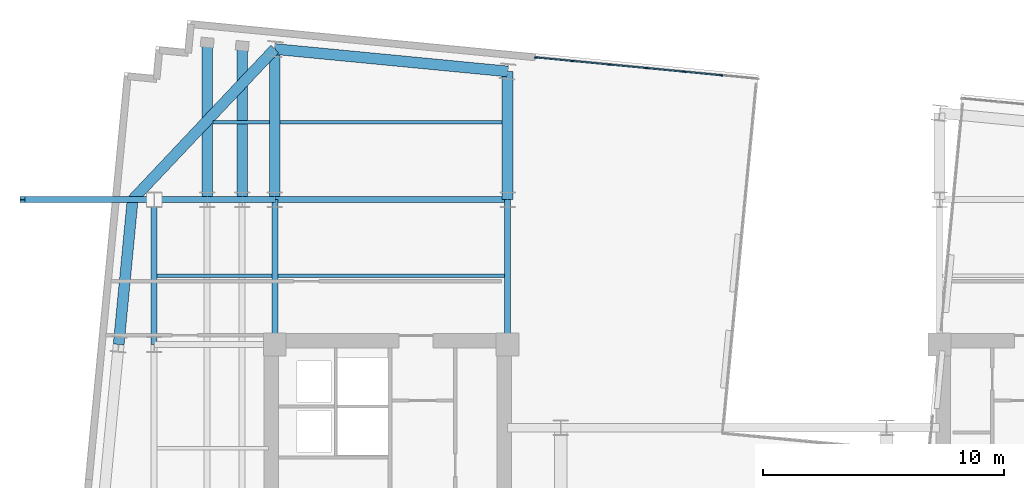
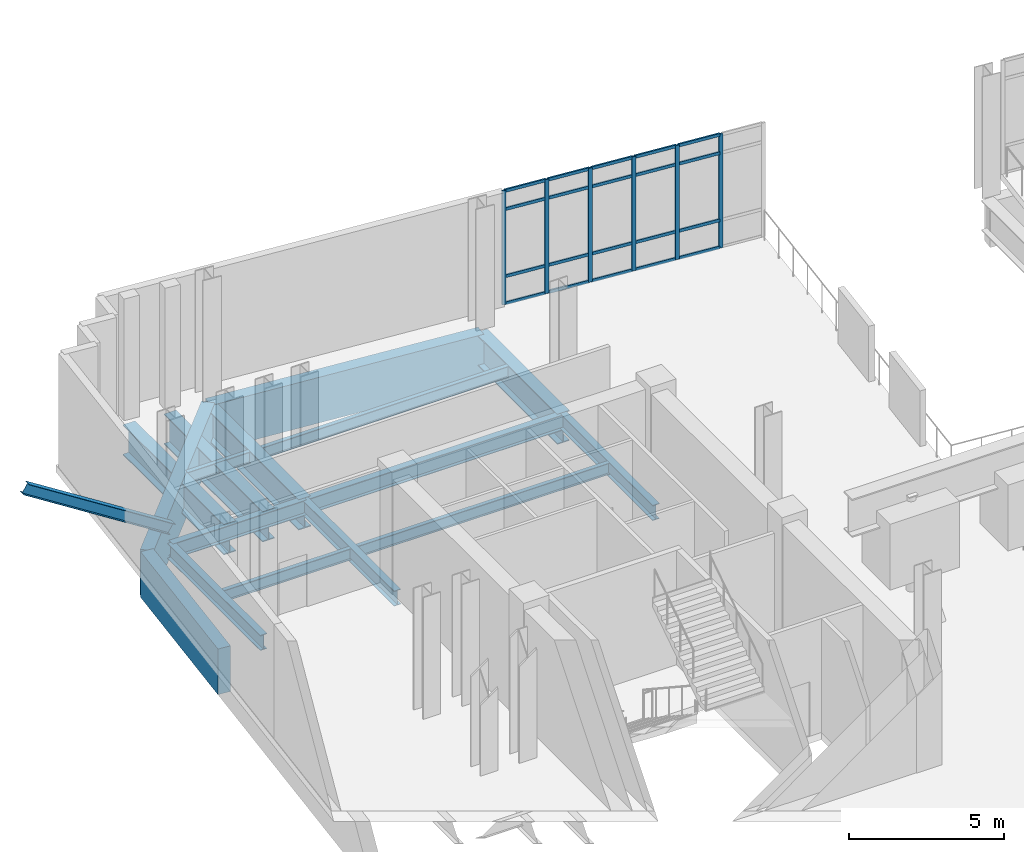
# One storey, part 8 of 16: 27 members, 16 beams, 1 element without a shape of its own.
"""IFC4 building model written with IfcOpenShell, lengths in metres."""

from ifc_helpers import new_model, si_unit, direction, frame, origin, origin_2d, place, context, subcontext, project, spatial, rectangle, i_section, extrude, material, layer, layer_set, material_profile, profile_set, type_object, element, aggregate, save


model = new_model("IFC4")

# Units and contexts
model_context = context("Model", 3, precision=1e-05, world=origin(), true_north=direction((0.0, 1.0)))
body_context = subcontext(model_context, "Body", "Model", "MODEL_VIEW")
ifc_project = project(units=[si_unit("LENGTHUNIT", "METRE"), si_unit("AREAUNIT", "SQUARE_METRE"), si_unit("VOLUMEUNIT", "CUBIC_METRE"), si_unit("PLANEANGLEUNIT", "RADIAN"), si_unit("MASSUNIT", "GRAM", prefix="KILO")], contexts=[model_context])

# Site, building, storey
site_placement = place(None, origin())
site = spatial("IfcSite", under=ifc_project, at=site_placement, CompositionType="ELEMENT")
building_placement = place(site_placement, origin())
building = spatial("IfcBuilding", under=site, at=building_placement, Name="Velakula Bourse", CompositionType="ELEMENT")
storey_placement = place(building_placement, frame((0.0, 0.0, 199.5)))
storey = spatial("IfcBuildingStorey", under=building, at=storey_placement, Name="L54", CompositionType="ELEMENT", Elevation=199.5)

# Beams
ifc_material_1 = material(Name="Steel IS 2062 Grade 350 (E350)", Category="steel")
ifc_material_profile_1 = material_profile(ifc_material_1, i_section(OverallWidth=0.25, OverallDepth=0.60009765625, WebThickness=0.01123046875, FlangeThickness=0.021240234375, at=origin_2d()), Name="Steel IS 2062 Grade 350 (E350)")
ifc_profile_set_1 = profile_set([ifc_material_profile_1], Name="Steel IS 2062 Grade 350 (E350)")
beam_type_1 = type_object("IfcBeamType", Name="BM-GRD-600M", PredefinedType="BEAM", material=ifc_profile_set_1)
for number, where, z_axis, x_axis, name in (
    (1, (-18.60009765625, 8.60009765625, -0.580078125), (0.0, 1.0, 0.0), (-1.0, 0.0, 0.0), "L54 Fulcrum Grid Girder FLC-WN"),
    (2, (-8.949951171875, 8.60009765625, -0.580078125), (0.0, 1.0, 0.0), (-1.0, 0.0, 0.0), "L54 Fulcrum Grid Girder FLC-WCN"),
):
    element("IfcBeam", number, at=place(storey_placement, frame(where, z_axis=z_axis, x_axis=x_axis)), inside=storey, type_object=beam_type_1, Name=name, PredefinedType="BEAM", context=body_context, shape_type="SweptSolid", body=[
        extrude(i_section(OverallWidth=0.25, OverallDepth=0.60009765625, WebThickness=0.01123046875, FlangeThickness=0.021240234375, at=origin_2d()), origin(), (0.0, 0.0, 1.0), 6.0),
    ])
beam_1_placement = place(storey_placement, frame((-18.60009765625, 14.60009765625, -0.580078125), z_axis=(1.0, 0.0, 0.0), x_axis=(0.0, 1.0, 0.0)))
element("IfcBeam", 3, at=beam_1_placement, inside=storey, type_object=beam_type_1, Name="L54 Fulcrum Grid Girder FLC-N1", PredefinedType="BEAM", context=body_context, shape_type="SweptSolid", body=[
    extrude(i_section(OverallWidth=0.25, OverallDepth=0.60009765625, WebThickness=0.01123046875, FlangeThickness=0.021240234375, at=origin_2d()), origin(), (0.0, 0.0, 1.0), 9.650146484375),
])
beam_2_placement = place(storey_placement, frame((-23.60009765625, 14.60009765625, -0.580078125), z_axis=(1.0, 0.0, 0.0), x_axis=(0.0, 1.0, 0.0)))
element("IfcBeam", 4, at=beam_2_placement, inside=storey, type_object=beam_type_1, Name="L54 Fulcrum Grid Girder MWG-WN2", PredefinedType="BEAM", context=body_context, shape_type="SweptSolid", body=[
    extrude(i_section(OverallWidth=0.25, OverallDepth=0.60009765625, WebThickness=0.01123046875, FlangeThickness=0.021240234375, at=origin_2d()), origin(), (0.0, 0.0, 1.0), 5.0),
])
beam_3_placement = place(storey_placement, frame((-23.60009765625, 8.60009765625, -0.580078125), z_axis=(0.0, 1.0, 0.0), x_axis=(-1.0, 0.0, 0.0)))
element("IfcBeam", 5, at=beam_3_placement, inside=storey, type_object=beam_type_1, Name="L54 Fulcrum Grid Girder MWG-WNS3", PredefinedType="BEAM", context=body_context, shape_type="SweptSolid", body=[
    extrude(i_section(OverallWidth=0.25, OverallDepth=0.60009765625, WebThickness=0.01123046875, FlangeThickness=0.021240234375, at=origin_2d()), origin(), (0.0, 0.0, 1.0), 6.0),
])

# Member
ifc_material_profile_2 = material_profile(ifc_material_1, i_section(OverallWidth=0.25, OverallDepth=0.39990234375, WebThickness=0.010498046875, FlangeThickness=0.0126953125, at=origin_2d()), Name="Steel IS 2062 Grade 350 (E350)")
ifc_profile_set_2 = profile_set([ifc_material_profile_2], Name="Steel IS 2062 Grade 350 (E350)")
member_type_1 = type_object("IfcMemberType", Name="BR-TRF-400", PredefinedType="BRACE", material=ifc_profile_set_2)
member_1_placement = place(storey_placement, frame((-23.60009765625, 14.60009765625, 0.300048828125), z_axis=(-0.843533874994, 0.0, 0.537075973897), x_axis=(0.0, -1.0, 0.0)))
element("IfcMember", 6, at=member_1_placement, inside=storey, type_object=member_type_1, Name="L54 Inclined Cantilever Transfer Raking Strut W4", PredefinedType="BRACE", context=body_context, shape_type="SweptSolid", body=[
    extrude(i_section(OverallWidth=0.25, OverallDepth=0.39990234375, WebThickness=0.010498046875, FlangeThickness=0.0126953125, at=origin_2d()), origin(), (0.0, 0.0, 1.0), 6.4609375),
])

# Beams
ifc_material_profile_3 = material_profile(ifc_material_1, i_section(OverallWidth=0.14990234375, OverallDepth=0.449951171875, WebThickness=0.009521484375, FlangeThickness=0.017333984375, at=origin_2d()), Name="Steel IS 2062 Grade 350 (E350)")
ifc_profile_set_3 = profile_set([ifc_material_profile_3], Name="Steel IS 2062 Grade 350 (E350)")
beam_type_2 = type_object("IfcBeamType", Name="JST-TWR-450", PredefinedType="JOIST", material=ifc_profile_set_3)
beam_4_placement = place(storey_placement, frame((-23.47509765625, 11.449951171875, -0.5048828125), z_axis=(1.0, 0.0, 0.0), x_axis=(0.0, 1.0, 0.0)))
element("IfcBeam", 7, at=beam_4_placement, inside=storey, type_object=beam_type_2, Name="L54 Trading Floor Composite Joist 09", PredefinedType="JOIST", context=body_context, shape_type="SweptSolid", body=[
    extrude(i_section(OverallWidth=0.14990234375, OverallDepth=0.449951171875, WebThickness=0.009521484375, FlangeThickness=0.017333984375, at=origin_2d()), origin(), (0.0, 0.0, 1.0), 4.75),
])
beam_5_placement = place(storey_placement, frame((-18.47509765625, 11.449951171875, -0.5048828125), z_axis=(1.0, 0.0, 0.0), x_axis=(0.0, 1.0, 0.0)))
element("IfcBeam", 8, at=beam_5_placement, inside=storey, type_object=beam_type_2, Name="L54 Trading Floor Composite Joist 10", PredefinedType="JOIST", context=body_context, shape_type="SweptSolid", body=[
    extrude(i_section(OverallWidth=0.14990234375, OverallDepth=0.449951171875, WebThickness=0.009521484375, FlangeThickness=0.017333984375, at=origin_2d()), origin(), (0.0, 0.0, 1.0), 9.400146484375),
])
beam_6_placement = place(storey_placement, frame((-21.16162109375, 17.800048828125, -0.5048828125), z_axis=(1.0, 0.0, 0.0), x_axis=(0.0, 1.0, 0.0)))
element("IfcBeam", 9, at=beam_6_placement, inside=storey, type_object=beam_type_2, Name="L54 Trading Floor Composite Joist 14", PredefinedType="JOIST", context=body_context, shape_type="SweptSolid", body=[
    extrude(i_section(OverallWidth=0.14990234375, OverallDepth=0.449951171875, WebThickness=0.009521484375, FlangeThickness=0.017333984375, at=origin_2d()), origin(), (0.0, 0.0, 1.0), 2.336669921875),
])
beam_7_placement = place(storey_placement, frame((-18.375, 17.800048828125, -0.5048828125), z_axis=(1.0, 0.0, 0.0), x_axis=(0.0, 1.0, 0.0)))
element("IfcBeam", 10, at=beam_7_placement, inside=storey, type_object=beam_type_2, Name="L54 Trading Floor Composite Joist 15", PredefinedType="JOIST", context=body_context, shape_type="SweptSolid", body=[
    extrude(i_section(OverallWidth=0.14990234375, OverallDepth=0.449951171875, WebThickness=0.009521484375, FlangeThickness=0.017333984375, at=origin_2d()), origin(), (0.0, 0.0, 1.0), 9.199951171875),
])

# Curtain wall, members
ifc_material_2 = material(Name="Anodised bronze architectural aluminium", Category="aluminium")
ifc_layer = layer(ifc_material_2, 0.139892578125, Name="Anodised bronze architectural aluminium", Category="aluminium")
ifc_layer_set = layer_set([ifc_layer], Name="Anodised bronze architectural aluminium")
curtain_wall_type = type_object("IfcCurtainWallType", Name="CW-TS1", PredefinedType="NOTDEFINED", material=ifc_layer_set)
curtain_wall_placement = place(storey_placement, origin())
curtain_wall = element("IfcCurtainWall", 11, at=curtain_wall_placement, inside=storey, type_object=curtain_wall_type, Name="L54 Venturi Observation Curtain Wall N-B2", PredefinedType="NOTDEFINED")
ifc_material_profile_4 = material_profile(ifc_material_2, rectangle(XDim=0.06005859375, YDim=0.139892578125, at=origin_2d()), Name="Anodised bronze architectural aluminium")
ifc_profile_set_4 = profile_set([ifc_material_profile_4], Name="Anodised bronze architectural aluminium")
member_type_2 = type_object("IfcMemberType", Name="MUL-CW-TS1", PredefinedType="MULLION", material=ifc_profile_set_4)
member_2_placement = place(storey_placement, frame((-7.768798828125, 20.49267578125, 0.0), z_axis=(0.0, 0.0, 1.0), x_axis=(0.095849023567, 0.995395883396, 0.0)))
member_2 = element("IfcMember", 12, at=member_2_placement, type_object=member_type_2, Name="CW-TS1 mullion 1", PredefinedType="MULLION", context=body_context, shape_type="SweptSolid", body=[
    extrude(rectangle(XDim=0.06005859375, YDim=0.139892578125, at=origin_2d()), origin(), (0.0, 0.0, 1.0), 4.5),
])
member_3_placement = place(storey_placement, frame((-6.259765625, 20.347412109375, 0.0), z_axis=(0.0, 0.0, 1.0), x_axis=(0.095849023567, 0.995395883396, 0.0)))
member_3 = element("IfcMember", 13, at=member_3_placement, type_object=member_type_2, Name="CW-TS1 mullion 2", PredefinedType="MULLION", context=body_context, shape_type="SweptSolid", body=[
    extrude(rectangle(XDim=0.06005859375, YDim=0.139892578125, at=origin_2d()), origin(), (0.0, 0.0, 1.0), 4.5),
])
member_4_placement = place(storey_placement, frame((-4.72119140625, 20.19921875, 0.0), z_axis=(0.0, 0.0, 1.0), x_axis=(0.095849023567, 0.995395883396, 0.0)))
member_4 = element("IfcMember", 14, at=member_4_placement, type_object=member_type_2, Name="CW-TS1 mullion 3", PredefinedType="MULLION", context=body_context, shape_type="SweptSolid", body=[
    extrude(rectangle(XDim=0.06005859375, YDim=0.139892578125, at=origin_2d()), origin(), (0.0, 0.0, 1.0), 4.5),
])
member_5_placement = place(storey_placement, frame((-3.182373046875, 20.051025390625, 0.0), z_axis=(0.0, 0.0, 1.0), x_axis=(0.095849023567, 0.995395883396, 0.0)))
member_5 = element("IfcMember", 15, at=member_5_placement, type_object=member_type_2, Name="CW-TS1 mullion 4", PredefinedType="MULLION", context=body_context, shape_type="SweptSolid", body=[
    extrude(rectangle(XDim=0.06005859375, YDim=0.139892578125, at=origin_2d()), origin(), (0.0, 0.0, 1.0), 4.5),
])
member_6_placement = place(storey_placement, frame((-1.643798828125, 19.90283203125, 0.0), z_axis=(0.0, 0.0, 1.0), x_axis=(0.095849023567, 0.995395883396, 0.0)))
member_6 = element("IfcMember", 16, at=member_6_placement, type_object=member_type_2, Name="CW-TS1 mullion 5", PredefinedType="MULLION", context=body_context, shape_type="SweptSolid", body=[
    extrude(rectangle(XDim=0.06005859375, YDim=0.139892578125, at=origin_2d()), origin(), (0.0, 0.0, 1.0), 4.5),
])
member_7_placement = place(storey_placement, frame((-0.10498046875, 19.7548828125, 0.0), z_axis=(0.0, 0.0, 1.0), x_axis=(0.095849023567, 0.995395883396, 0.0)))
member_7 = element("IfcMember", 17, at=member_7_placement, type_object=member_type_2, Name="CW-TS1 mullion 6", PredefinedType="MULLION", context=body_context, shape_type="SweptSolid", body=[
    extrude(rectangle(XDim=0.06005859375, YDim=0.139892578125, at=origin_2d()), origin(), (0.0, 0.0, 1.0), 4.5),
])

# Beams
ifc_material_3 = material(Name="Concrete M50 (fck 50 MPa)", Category="concrete")
ifc_material_profile_5 = material_profile(ifc_material_3, rectangle(XDim=0.449951171875, YDim=1.800048828125, at=origin_2d()), Name="Concrete M50 (fck 50 MPa)")
ifc_profile_set_5 = profile_set([ifc_material_profile_5], Name="Concrete M50 (fck 50 MPa)")
beam_type_3 = type_object("IfcBeamType", Name="SPN-TRF-1800", PredefinedType="SPANDREL", material=ifc_profile_set_5)
beam_8_placement = place(storey_placement, frame((-18.60009765625, 20.84228515625, -1.179931640625), z_axis=(0.99539623971, -0.095845323155, 0.0), x_axis=(0.095845323155, 0.99539623971, 0.0)))
element("IfcBeam", 18, at=beam_8_placement, inside=storey, type_object=beam_type_3, Name="L54 Brick-Faced Precast Spandrel N1-N2", PredefinedType="SPANDREL", context=body_context, shape_type="SweptSolid", body=[
    extrude(rectangle(XDim=0.449951171875, YDim=1.800048828125, at=origin_2d()), origin(), (0.0, 0.0, 1.0), 9.69482421875),
])
beam_9_placement = place(storey_placement, frame((-25.068115234375, 8.60009765625, -1.179931640625), z_axis=(0.095829714309, 0.995397742541, 0.0), x_axis=(-0.995397742541, 0.095829714309, 0.0)))
element("IfcBeam", 19, at=beam_9_placement, inside=storey, type_object=beam_type_3, Name="L54 Brick-Faced Precast Spandrel W3-W4", PredefinedType="SPANDREL", context=body_context, shape_type="SweptSolid", body=[
    extrude(rectangle(XDim=0.449951171875, YDim=1.800048828125, at=origin_2d()), origin(), (0.0, 0.0, 1.0), 6.02783203125),
])
beam_10_placement = place(storey_placement, frame((-18.60009765625, 20.84228515625, -1.179931640625), z_axis=(-0.686314417505, -0.727304970645, 0.0), x_axis=(0.727304970645, -0.686314417505, 0.0)))
element("IfcBeam", 20, at=beam_10_placement, inside=storey, type_object=beam_type_3, Name="L54 Brick-Faced Precast Spandrel N1-W4", PredefinedType="SPANDREL", context=body_context, shape_type="SweptSolid", body=[
    extrude(rectangle(XDim=0.449951171875, YDim=1.800048828125, at=origin_2d()), origin(), (0.0, 0.0, 1.0), 8.58251953125),
])
ifc_material_4 = material(Name="Steel IS 2062 Grade 450 (E450)", Category="steel")
ifc_material_profile_6 = material_profile(ifc_material_4, i_section(OverallWidth=0.449951171875, OverallDepth=1.199951171875, WebThickness=0.02587890625, FlangeThickness=0.0400390625, at=origin_2d()), Name="Steel IS 2062 Grade 450 (E450)")
ifc_profile_set_6 = profile_set([ifc_material_profile_6], Name="Steel IS 2062 Grade 450 (E450)")
beam_type_4 = type_object("IfcBeamType", Name="TB-CANT-1200", PredefinedType="BEAM", material=ifc_profile_set_6)
beam_11_placement = place(storey_placement, frame((-18.60009765625, 14.60009765625, -0.8798828125), z_axis=(0.0, 1.0, 0.0), x_axis=(-1.0, 0.0, 0.0)))
element("IfcBeam", 21, at=beam_11_placement, inside=storey, type_object=beam_type_4, Name="L54 Perimeter Tie Girder N1", PredefinedType="BEAM", context=body_context, shape_type="SweptSolid", body=[
    extrude(i_section(OverallWidth=0.449951171875, OverallDepth=1.199951171875, WebThickness=0.02587890625, FlangeThickness=0.0400390625, at=origin_2d()), origin(), (0.0, 0.0, 1.0), 6.2421875),
])
beam_12_placement = place(storey_placement, frame((-8.949951171875, 14.60009765625, -0.8798828125), z_axis=(0.0, 1.0, 0.0), x_axis=(-1.0, 0.0, 0.0)))
element("IfcBeam", 22, at=beam_12_placement, inside=storey, type_object=beam_type_4, Name="L54 Perimeter Tie Girder N2", PredefinedType="BEAM", context=body_context, shape_type="SweptSolid", body=[
    extrude(i_section(OverallWidth=0.449951171875, OverallDepth=1.199951171875, WebThickness=0.02587890625, FlangeThickness=0.0400390625, at=origin_2d()), origin(), (0.0, 0.0, 1.0), 5.31298828125),
])
beam_13_placement = place(storey_placement, frame((-21.39990234375, 14.60009765625, -0.8798828125), z_axis=(0.0, 1.0, 0.0), x_axis=(-1.0, 0.0, 0.0)))
element("IfcBeam", 23, at=beam_13_placement, inside=storey, type_object=beam_type_4, Name="L54 Perimeter Tie Girder P05", PredefinedType="BEAM", context=body_context, shape_type="SweptSolid", body=[
    extrude(i_section(OverallWidth=0.449951171875, OverallDepth=1.199951171875, WebThickness=0.02587890625, FlangeThickness=0.0400390625, at=origin_2d()), origin(), (0.0, 0.0, 1.0), 6.511962890625),
])
beam_14_placement = place(storey_placement, frame((-19.949951171875, 14.60009765625, -0.8798828125), z_axis=(0.0, 1.0, 0.0), x_axis=(-1.0, 0.0, 0.0)))
element("IfcBeam", 24, at=beam_14_placement, inside=storey, type_object=beam_type_4, Name="L54 Perimeter Tie Girder P06", PredefinedType="BEAM", context=body_context, shape_type="SweptSolid", body=[
    extrude(i_section(OverallWidth=0.449951171875, OverallDepth=1.199951171875, WebThickness=0.02587890625, FlangeThickness=0.0400390625, at=origin_2d()), origin(), (0.0, 0.0, 1.0), 6.372314453125),
])

# Member
ifc_material_profile_7 = material_profile(ifc_material_2, rectangle(XDim=0.06005859375, YDim=0.1201171875, at=origin_2d()), Name="Anodised bronze architectural aluminium")
ifc_profile_set_7 = profile_set([ifc_material_profile_7], Name="Anodised bronze architectural aluminium")
member_type_3 = type_object("IfcMemberType", Name="TRN-CW-TS1", PredefinedType="USERDEFINED", material=ifc_profile_set_7)
member_8_placement = place(storey_placement, frame((-7.73876953125, 20.48974609375, 0.030029296875), z_axis=(0.995403803728, -0.09576673495, 0.0), x_axis=(0.09576673495, 0.995403803728, 0.0)))
member_8 = element("IfcMember", 25, at=member_8_placement, type_object=member_type_3, Name="CW-TS1 transom 1.1", ObjectType="TRANSOM", PredefinedType="USERDEFINED", context=body_context, shape_type="SweptSolid", body=[
    extrude(rectangle(XDim=0.06005859375, YDim=0.1201171875, at=origin_2d()), origin(), (0.0, 0.0, 1.0), 1.45556640625),
])

member_9_placement = place(storey_placement, frame((-7.73876953125, 20.48974609375, 1.10009765625), z_axis=(0.995403803728, -0.09576673495, 0.0), x_axis=(0.09576673495, 0.995403803728, 0.0)))
member_9 = element("IfcMember", 26, at=member_9_placement, type_object=member_type_3, Name="CW-TS1 transom 1.2", ObjectType="TRANSOM", PredefinedType="USERDEFINED", context=body_context, shape_type="SweptSolid", body=[
    extrude(rectangle(XDim=0.06005859375, YDim=0.1201171875, at=origin_2d()), origin(), (0.0, 0.0, 1.0), 1.45556640625),
])

member_10_placement = place(storey_placement, frame((-7.73876953125, 20.48974609375, 3.75), z_axis=(0.995403803728, -0.09576673495, 0.0), x_axis=(0.09576673495, 0.995403803728, 0.0)))
member_10 = element("IfcMember", 27, at=member_10_placement, type_object=member_type_3, Name="CW-TS1 transom 1.3", ObjectType="TRANSOM", PredefinedType="USERDEFINED", context=body_context, shape_type="SweptSolid", body=[
    extrude(rectangle(XDim=0.06005859375, YDim=0.1201171875, at=origin_2d()), origin(), (0.0, 0.0, 1.0), 1.45556640625),
])

member_11_placement = place(storey_placement, frame((-7.73876953125, 20.48974609375, 4.469970703125), z_axis=(0.995403803728, -0.09576673495, 0.0), x_axis=(0.09576673495, 0.995403803728, 0.0)))
member_11 = element("IfcMember", 28, at=member_11_placement, type_object=member_type_3, Name="CW-TS1 transom 1.4", ObjectType="TRANSOM", PredefinedType="USERDEFINED", context=body_context, shape_type="SweptSolid", body=[
    extrude(rectangle(XDim=0.06005859375, YDim=0.1201171875, at=origin_2d()), origin(), (0.0, 0.0, 1.0), 1.45556640625),
])

member_12_placement = place(storey_placement, frame((-6.22998046875, 20.344482421875, 0.030029296875), z_axis=(0.995401198531, -0.095793809631, 0.0), x_axis=(0.095793809631, 0.995401198531, 0.0)))
member_12 = element("IfcMember", 29, at=member_12_placement, type_object=member_type_3, Name="CW-TS1 transom 2.1", ObjectType="TRANSOM", PredefinedType="USERDEFINED", context=body_context, shape_type="SweptSolid", body=[
    extrude(rectangle(XDim=0.06005859375, YDim=0.1201171875, at=origin_2d()), origin(), (0.0, 0.0, 1.0), 1.48583984375),
])

member_13_placement = place(storey_placement, frame((-6.22998046875, 20.344482421875, 1.10009765625), z_axis=(0.995401198531, -0.095793809631, 0.0), x_axis=(0.095793809631, 0.995401198531, 0.0)))
member_13 = element("IfcMember", 30, at=member_13_placement, type_object=member_type_3, Name="CW-TS1 transom 2.2", ObjectType="TRANSOM", PredefinedType="USERDEFINED", context=body_context, shape_type="SweptSolid", body=[
    extrude(rectangle(XDim=0.06005859375, YDim=0.1201171875, at=origin_2d()), origin(), (0.0, 0.0, 1.0), 1.48583984375),
])

member_14_placement = place(storey_placement, frame((-6.22998046875, 20.344482421875, 3.75), z_axis=(0.995401198531, -0.095793809631, 0.0), x_axis=(0.095793809631, 0.995401198531, 0.0)))
member_14 = element("IfcMember", 31, at=member_14_placement, type_object=member_type_3, Name="CW-TS1 transom 2.3", ObjectType="TRANSOM", PredefinedType="USERDEFINED", context=body_context, shape_type="SweptSolid", body=[
    extrude(rectangle(XDim=0.06005859375, YDim=0.1201171875, at=origin_2d()), origin(), (0.0, 0.0, 1.0), 1.48583984375),
])

member_15_placement = place(storey_placement, frame((-6.22998046875, 20.344482421875, 4.469970703125), z_axis=(0.995401198531, -0.095793809631, 0.0), x_axis=(0.095793809631, 0.995401198531, 0.0)))
member_15 = element("IfcMember", 32, at=member_15_placement, type_object=member_type_3, Name="CW-TS1 transom 2.4", ObjectType="TRANSOM", PredefinedType="USERDEFINED", context=body_context, shape_type="SweptSolid", body=[
    extrude(rectangle(XDim=0.06005859375, YDim=0.1201171875, at=origin_2d()), origin(), (0.0, 0.0, 1.0), 1.48583984375),
])

member_16_placement = place(storey_placement, frame((-4.69140625, 20.1962890625, 0.030029296875), z_axis=(0.995401198531, -0.095793809631, 0.0), x_axis=(0.095793809631, 0.995401198531, 0.0)))
member_16 = element("IfcMember", 33, at=member_16_placement, type_object=member_type_3, Name="CW-TS1 transom 3.1", ObjectType="TRANSOM", PredefinedType="USERDEFINED", context=body_context, shape_type="SweptSolid", body=[
    extrude(rectangle(XDim=0.06005859375, YDim=0.1201171875, at=origin_2d()), origin(), (0.0, 0.0, 1.0), 1.48583984375),
])

member_17_placement = place(storey_placement, frame((-4.69140625, 20.1962890625, 1.10009765625), z_axis=(0.995401198531, -0.095793809631, 0.0), x_axis=(0.095793809631, 0.995401198531, 0.0)))
member_17 = element("IfcMember", 34, at=member_17_placement, type_object=member_type_3, Name="CW-TS1 transom 3.2", ObjectType="TRANSOM", PredefinedType="USERDEFINED", context=body_context, shape_type="SweptSolid", body=[
    extrude(rectangle(XDim=0.06005859375, YDim=0.1201171875, at=origin_2d()), origin(), (0.0, 0.0, 1.0), 1.48583984375),
])

member_18_placement = place(storey_placement, frame((-4.69140625, 20.1962890625, 3.75), z_axis=(0.995401198531, -0.095793809631, 0.0), x_axis=(0.095793809631, 0.995401198531, 0.0)))
member_18 = element("IfcMember", 35, at=member_18_placement, type_object=member_type_3, Name="CW-TS1 transom 3.3", ObjectType="TRANSOM", PredefinedType="USERDEFINED", context=body_context, shape_type="SweptSolid", body=[
    extrude(rectangle(XDim=0.06005859375, YDim=0.1201171875, at=origin_2d()), origin(), (0.0, 0.0, 1.0), 1.48583984375),
])

member_19_placement = place(storey_placement, frame((-4.69140625, 20.1962890625, 4.469970703125), z_axis=(0.995401198531, -0.095793809631, 0.0), x_axis=(0.095793809631, 0.995401198531, 0.0)))
member_19 = element("IfcMember", 36, at=member_19_placement, type_object=member_type_3, Name="CW-TS1 transom 3.4", ObjectType="TRANSOM", PredefinedType="USERDEFINED", context=body_context, shape_type="SweptSolid", body=[
    extrude(rectangle(XDim=0.06005859375, YDim=0.1201171875, at=origin_2d()), origin(), (0.0, 0.0, 1.0), 1.48583984375),
])

member_20_placement = place(storey_placement, frame((-3.152587890625, 20.04833984375, 0.030029296875), z_axis=(0.995385517791, -0.095956609837, 0.0), x_axis=(0.095956609837, 0.995385517791, 0.0)))
member_20 = element("IfcMember", 37, at=member_20_placement, type_object=member_type_3, Name="CW-TS1 transom 4.1", ObjectType="TRANSOM", PredefinedType="USERDEFINED", context=body_context, shape_type="SweptSolid", body=[
    extrude(rectangle(XDim=0.06005859375, YDim=0.1201171875, at=origin_2d()), origin(), (0.0, 0.0, 1.0), 1.48583984375),
])

member_21_placement = place(storey_placement, frame((-3.152587890625, 20.04833984375, 1.10009765625), z_axis=(0.995385517791, -0.095956609837, 0.0), x_axis=(0.095956609837, 0.995385517791, 0.0)))
member_21 = element("IfcMember", 38, at=member_21_placement, type_object=member_type_3, Name="CW-TS1 transom 4.2", ObjectType="TRANSOM", PredefinedType="USERDEFINED", context=body_context, shape_type="SweptSolid", body=[
    extrude(rectangle(XDim=0.06005859375, YDim=0.1201171875, at=origin_2d()), origin(), (0.0, 0.0, 1.0), 1.48583984375),
])

member_22_placement = place(storey_placement, frame((-3.152587890625, 20.04833984375, 3.75), z_axis=(0.995385517791, -0.095956609837, 0.0), x_axis=(0.095956609837, 0.995385517791, 0.0)))
member_22 = element("IfcMember", 39, at=member_22_placement, type_object=member_type_3, Name="CW-TS1 transom 4.3", ObjectType="TRANSOM", PredefinedType="USERDEFINED", context=body_context, shape_type="SweptSolid", body=[
    extrude(rectangle(XDim=0.06005859375, YDim=0.1201171875, at=origin_2d()), origin(), (0.0, 0.0, 1.0), 1.48583984375),
])

member_23_placement = place(storey_placement, frame((-3.152587890625, 20.04833984375, 4.469970703125), z_axis=(0.995385517791, -0.095956609837, 0.0), x_axis=(0.095956609837, 0.995385517791, 0.0)))
member_23 = element("IfcMember", 40, at=member_23_placement, type_object=member_type_3, Name="CW-TS1 transom 4.4", ObjectType="TRANSOM", PredefinedType="USERDEFINED", context=body_context, shape_type="SweptSolid", body=[
    extrude(rectangle(XDim=0.06005859375, YDim=0.1201171875, at=origin_2d()), origin(), (0.0, 0.0, 1.0), 1.48583984375),
])

member_24_placement = place(storey_placement, frame((-1.61376953125, 19.900146484375, 0.030029296875), z_axis=(0.995385517791, -0.095956609837, 0.0), x_axis=(0.095956609837, 0.995385517791, 0.0)))
member_24 = element("IfcMember", 41, at=member_24_placement, type_object=member_type_3, Name="CW-TS1 transom 5.1", ObjectType="TRANSOM", PredefinedType="USERDEFINED", context=body_context, shape_type="SweptSolid", body=[
    extrude(rectangle(XDim=0.06005859375, YDim=0.1201171875, at=origin_2d()), origin(), (0.0, 0.0, 1.0), 1.48583984375),
])

member_25_placement = place(storey_placement, frame((-1.61376953125, 19.900146484375, 1.10009765625), z_axis=(0.995385517791, -0.095956609837, 0.0), x_axis=(0.095956609837, 0.995385517791, 0.0)))
member_25 = element("IfcMember", 42, at=member_25_placement, type_object=member_type_3, Name="CW-TS1 transom 5.2", ObjectType="TRANSOM", PredefinedType="USERDEFINED", context=body_context, shape_type="SweptSolid", body=[
    extrude(rectangle(XDim=0.06005859375, YDim=0.1201171875, at=origin_2d()), origin(), (0.0, 0.0, 1.0), 1.48583984375),
])

member_26_placement = place(storey_placement, frame((-1.61376953125, 19.900146484375, 3.75), z_axis=(0.995385517791, -0.095956609837, 0.0), x_axis=(0.095956609837, 0.995385517791, 0.0)))
member_26 = element("IfcMember", 43, at=member_26_placement, type_object=member_type_3, Name="CW-TS1 transom 5.3", ObjectType="TRANSOM", PredefinedType="USERDEFINED", context=body_context, shape_type="SweptSolid", body=[
    extrude(rectangle(XDim=0.06005859375, YDim=0.1201171875, at=origin_2d()), origin(), (0.0, 0.0, 1.0), 1.48583984375),
])

member_27_placement = place(storey_placement, frame((-1.61376953125, 19.900146484375, 4.469970703125), z_axis=(0.995385517791, -0.095956609837, 0.0), x_axis=(0.095956609837, 0.995385517791, 0.0)))
member_27 = element("IfcMember", 44, at=member_27_placement, type_object=member_type_3, Name="CW-TS1 transom 5.4", ObjectType="TRANSOM", PredefinedType="USERDEFINED", context=body_context, shape_type="SweptSolid", body=[
    extrude(rectangle(XDim=0.06005859375, YDim=0.1201171875, at=origin_2d()), origin(), (0.0, 0.0, 1.0), 1.48583984375),
])

aggregate(curtain_wall, [member_2, member_3, member_4, member_5, member_6, member_7, member_8, member_9, member_10, member_11, member_12, member_13, member_14, member_15, member_16, member_17, member_18, member_19, member_20, member_21, member_22, member_23, member_24, member_25, member_26, member_27])

save(model, "model.ifc")
